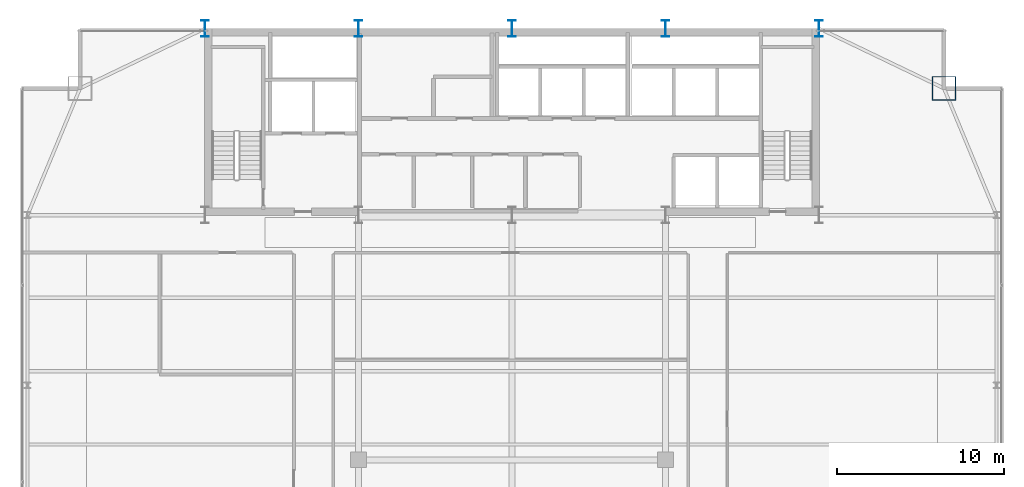
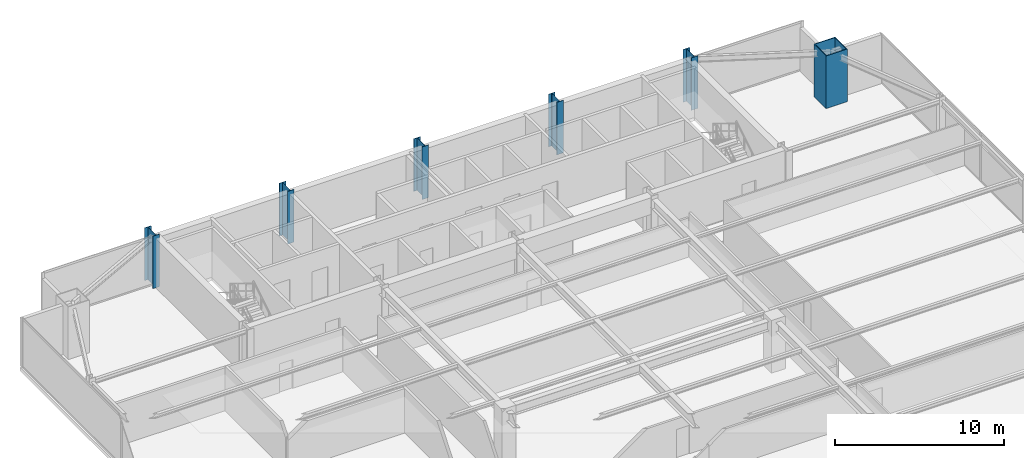
# One storey, part 3 of 30: 6 columns.
"""IFC4 building model written with IfcOpenShell, lengths in metres."""

from ifc_helpers import new_model, si_unit, direction, frame, origin, origin_2d, place, context, subcontext, project, spatial, hollow_rectangle, i_section, extrude, source, transform, mapped, material, material_profile, profile_set, type_object, type_shapes, element, save


model = new_model("IFC4")

# Units and contexts
model_context = context("Model", 3, precision=1e-05, world=origin(), true_north=direction((0.0, 1.0)))
body_context = subcontext(model_context, "Body", "Model", "MODEL_VIEW")
ifc_project = project(units=[si_unit("LENGTHUNIT", "METRE"), si_unit("AREAUNIT", "SQUARE_METRE"), si_unit("VOLUMEUNIT", "CUBIC_METRE"), si_unit("PLANEANGLEUNIT", "RADIAN"), si_unit("MASSUNIT", "GRAM", prefix="KILO")], contexts=[model_context])

# Site, building, storey
site_placement = place(None, origin())
site = spatial("IfcSite", under=ifc_project, at=site_placement, CompositionType="ELEMENT")
building_placement = place(site_placement, origin())
building = spatial("IfcBuilding", under=site, at=building_placement, Name="Varnel Quay Broadcast Tower", CompositionType="ELEMENT")
storey_placement = place(building_placement, frame((0.0, 0.0, 122.0)))
storey = spatial("IfcBuildingStorey", under=building, at=storey_placement, Name="L29", CompositionType="ELEMENT", Elevation=122.0)

# Columns
ifc_material = material(Name="Structural Steel CSA G40.21 350WT", Category="steel")
ifc_material_profile_1 = material_profile(ifc_material, i_section(OverallWidth=0.449951171875, OverallDepth=1.0, WebThickness=0.01611328125, FlangeThickness=0.030029296875, FilletRadius=0.01611328125, at=origin_2d()), Name="WWF1000X362")
ifc_profile_set_1 = profile_set([ifc_material_profile_1], Name="Structural Steel CSA G40.21 350WT")
column_type_1 = type_object("IfcColumnType", Name="Col_WWF1000X362", PredefinedType="COLUMN", material=ifc_profile_set_1)
shared_shape_1 = source(origin(), body_context, "Body", "SweptSolid", [
    extrude(i_section(OverallWidth=0.449951171875, OverallDepth=1.0, WebThickness=0.01611328125, FlangeThickness=0.030029296875, FilletRadius=0.01611328125, at=origin_2d()), origin(), (0.0, 0.0, 1.0), 3.800048828125),
])
type_shapes(column_type_1, [shared_shape_1])
for number, where, z_axis, x_axis, name in (
    (1, (15.60009765625, 46.800048828125, 0.0), (0.0, 0.0, 1.0), (1.0, 0.0, 0.0), "L29 Column CC-N1"),
    (2, (24.800048828125, 46.800048828125, 0.0), (0.0, 0.0, 1.0), (1.0, 0.0, 0.0), "L29 Column CC-N2"),
    (3, (34.0, 46.800048828125, 0.0), (0.0, 0.0, 1.0), (1.0, 0.0, 0.0), "L29 Column CC-N3"),
    (4, (43.199951171875, 46.800048828125, 0.0), (0.0, 0.0, 1.0), (1.0, 0.0, 0.0), "L29 Column CC-N4"),
    (5, (52.39990234375, 46.800048828125, 0.0), (0.0, 0.0, 1.0), (1.0, 0.0, 0.0), "L29 Column CC-N5"),
):
    element("IfcColumn", number, at=place(storey_placement, frame(where, z_axis=z_axis, x_axis=x_axis)), inside=storey, type_object=column_type_1, Name=name, PredefinedType="COLUMN", context=body_context, shape_type="MappedRepresentation", body=[
        mapped(shared_shape_1, transform((0.0, 0.0, 0.0), x_axis=(1.0, 0.0, 0.0), y_axis=(0.0, 1.0, 0.0), z_axis=(0.0, 0.0, 1.0), scale=1.0)),
    ])
ifc_material_profile_2 = material_profile(ifc_material, hollow_rectangle(XDim=1.449951171875, YDim=1.449951171875, WallThickness=0.054931640625, at=origin_2d()), Name="BOX1450X1450X55")
ifc_profile_set_2 = profile_set([ifc_material_profile_2], Name="Structural Steel CSA G40.21 350WT")
column_type_2 = type_object("IfcColumnType", Name="Col_BOX1450X1450X55", PredefinedType="COLUMN", material=ifc_profile_set_2)
shared_shape_2 = source(origin(), body_context, "Body", "SweptSolid", [
    extrude(hollow_rectangle(XDim=1.449951171875, YDim=1.449951171875, WallThickness=0.054931640625, at=origin_2d()), origin(), (0.0, 0.0, 1.0), 3.800048828125),
])
type_shapes(column_type_2, [shared_shape_2])
column_placement = place(storey_placement, frame((59.89990234375, 43.199951171875, 0.0), z_axis=(0.0, 0.0, 1.0), x_axis=(1.0, 0.0, 0.0)))
element("IfcColumn", 6, at=column_placement, inside=storey, type_object=column_type_2, Name="L29 Column MC-NE", PredefinedType="COLUMN", context=body_context, shape_type="MappedRepresentation", body=[
    mapped(shared_shape_2, transform((0.0, 0.0, 0.0), x_axis=(1.0, 0.0, 0.0), y_axis=(0.0, 1.0, 0.0), z_axis=(0.0, 0.0, 1.0), scale=1.0)),
])

save(model, "model.ifc")
